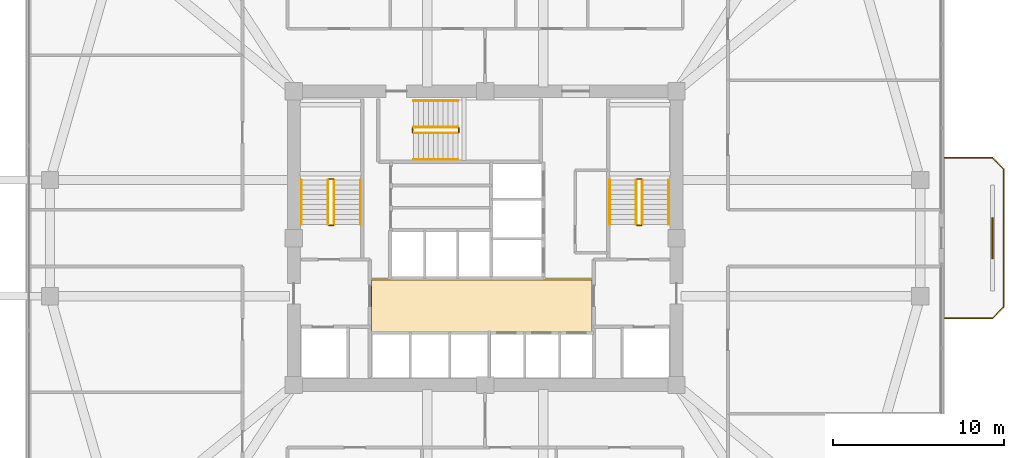
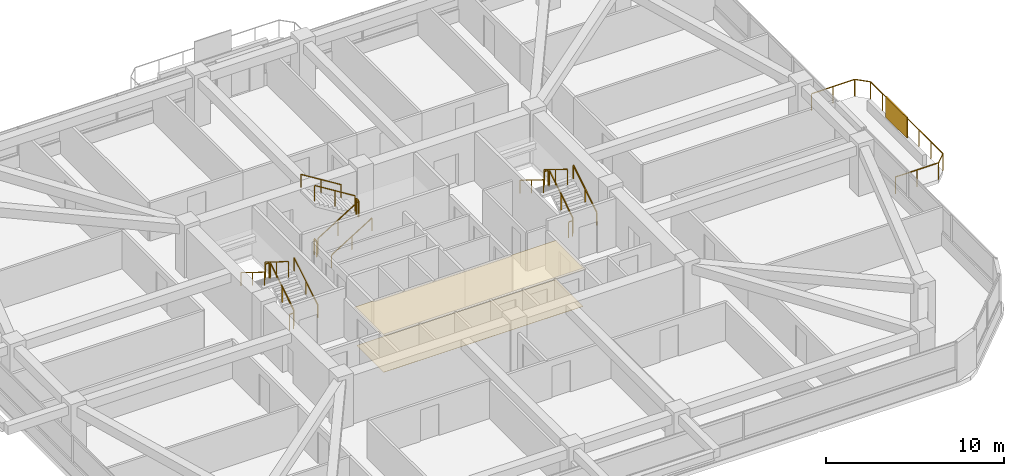
# One storey, part 13 of 14: 19 railings, 2 coverings, 1 shading device.
"""IFC4 building model written with IfcOpenShell, lengths in metres."""

from ifc_helpers import new_model, si_unit, derived_unit, direction, frame, origin, origin_2d, place, context, subcontext, project, spatial, polyline, rectangle, outline, extrude, material, layer, layer_set, type_object, element, save


model = new_model("IFC4")

# Units and contexts
model_context = context("Model", 3, precision=1e-05, world=origin(), true_north=direction((0.0, 1.0)))
body_context = subcontext(model_context, "Body", "Model", "MODEL_VIEW")
ifc_project = project(units=[si_unit("LENGTHUNIT", "METRE"), si_unit("AREAUNIT", "SQUARE_METRE"), si_unit("VOLUMEUNIT", "CUBIC_METRE"), si_unit("PLANEANGLEUNIT", "RADIAN"), si_unit("MASSUNIT", "GRAM", prefix="KILO"), derived_unit("THERMALTRANSMITTANCEUNIT", [(si_unit("POWERUNIT", "WATT"), 1), (si_unit("LENGTHUNIT", "METRE"), -2), (si_unit("THERMODYNAMICTEMPERATUREUNIT", "KELVIN"), -1)])], contexts=[model_context])

# Site, building, storey
site_placement = place(None, origin())
site = spatial("IfcSite", under=ifc_project, at=site_placement, CompositionType="ELEMENT")
building_placement = place(site_placement, origin())
building = spatial("IfcBuilding", under=site, at=building_placement, Name="Koralith Skygarden Medical Center", CompositionType="ELEMENT")
storey_placement = place(building_placement, frame((0.0, 0.0, 81.179931640625)))
storey = spatial("IfcBuildingStorey", under=building, at=storey_placement, Name="L20", CompositionType="ELEMENT", Elevation=81.179931640625)

# Covering
ifc_material_1 = material(Name="Acoustic Mineral Tile")
ifc_layer_1 = layer(ifc_material_1, 0.02001953125)
ifc_layer_set_1 = layer_set([ifc_layer_1], Name="Acoustic Mineral Tile")
covering_type_1 = type_object("IfcCoveringType", Name="Acoustic Hygienic Mineral Ceiling 20", PredefinedType="CEILING", material=ifc_layer_set_1)
covering_1_placement = place(storey_placement, frame((0.0, 0.0, 2.5849609375)))
element("IfcCovering", 1, at=covering_1_placement, inside=storey, type_object=covering_type_1, Name="L20 Core Lobby Acoustic Ceiling", PredefinedType="CEILING", context=body_context, shape_type="SweptSolid", body=[
    extrude(outline(polyline([(30.25, 20.320068359375), (43.35009765625, 20.320068359375), (43.35009765625, 23.56005859375), (30.25, 23.56005859375), (30.25, 20.320068359375)])), origin(), (0.0, 0.0, 1.0), 0.02001953125),
])

# Railing
ifc_material_2 = material(Name="Steel ASTM A500 Grade C", Category="steel")
railing_type_1 = type_object("IfcRailingType", Name="Outdoor Terrace & Balcony Safety Guardrail 1180", PredefinedType="GUARDRAIL", material=ifc_material_2)
railing_1_placement = place(storey_placement, frame((63.89990234375, 21.199951171875, 0.0)))
element("IfcRailing", 2, at=railing_1_placement, inside=storey, type_object=railing_type_1, Name="L20 E Balcony Perimeter Guardrail", PredefinedType="GUARDRAIL", context=body_context, shape_type="SweptSolid", body=[
    extrude(rectangle(XDim=0.050048828125, YDim=0.050048828125, at=origin_2d()), frame((0.001953125, 0.0, 1.15478515625), z_axis=(1.0, 0.0, 0.0), x_axis=(0.0, 1.0, 0.0)), (0.0, 0.0, 1.0), 2.796142578125),
    extrude(rectangle(XDim=0.050048828125, YDim=0.050048828125, at=origin_2d()), frame((2.801513671875, 0.00146484375, 1.15478515625), z_axis=(0.707106781187, 0.707106781187, 0.0), x_axis=(-0.707106781187, 0.707106781187, 0.0)), (0.0, 0.0, 1.0), 0.91552734375),
    extrude(rectangle(XDim=0.050048828125, YDim=0.050048828125, at=origin_2d()), frame((3.4501953125, 0.652099609375, 1.15478515625), z_axis=(0.0, 1.0, 0.0), x_axis=(-1.0, 0.0, 0.0)), (0.0, 0.0, 1.0), 8.095947265625),
    extrude(rectangle(XDim=0.050048828125, YDim=0.050048828125, at=origin_2d()), frame((3.44873046875, 8.75146484375, 1.15478515625), z_axis=(-0.707106781187, 0.707106781187, 0.0), x_axis=(-0.707106781187, -0.707106781187, 0.0)), (0.0, 0.0, 1.0), 0.91552734375),
    extrude(rectangle(XDim=0.050048828125, YDim=0.050048828125, at=origin_2d()), frame((2.798095703125, 9.400146484375, 1.15478515625), z_axis=(-1.0, 0.0, 0.0), x_axis=(0.0, -1.0, 0.0)), (0.0, 0.0, 1.0), 2.796142578125),
    extrude(rectangle(XDim=0.0419921875, YDim=0.0419921875, at=origin_2d()), origin(), (0.0, 0.0, 1.0), 1.1279296875),
    extrude(rectangle(XDim=0.0419921875, YDim=0.0419921875, at=origin_2d()), frame((1.39990234375, 0.0, 0.0)), (0.0, 0.0, 1.0), 1.1279296875),
    extrude(rectangle(XDim=0.0419921875, YDim=0.0419921875, at=origin_2d()), frame((2.800048828125, 0.0, 0.0)), (0.0, 0.0, 1.0), 1.1279296875),
    extrude(rectangle(XDim=0.0419921875, YDim=0.0419921875, at=origin_2d()), frame((3.4501953125, 0.650146484375, 0.0)), (0.0, 0.0, 1.0), 1.1279296875),
    extrude(rectangle(XDim=0.0419921875, YDim=0.0419921875, at=origin_2d()), frame((3.4501953125, 2.0, 0.0)), (0.0, 0.0, 1.0), 1.1279296875),
    extrude(rectangle(XDim=0.0419921875, YDim=0.0419921875, at=origin_2d()), frame((3.4501953125, 3.35009765625, 0.0)), (0.0, 0.0, 1.0), 1.1279296875),
    extrude(rectangle(XDim=0.0419921875, YDim=0.0419921875, at=origin_2d()), frame((3.4501953125, 4.7001953125, 0.0)), (0.0, 0.0, 1.0), 1.1279296875),
    extrude(rectangle(XDim=0.0419921875, YDim=0.0419921875, at=origin_2d()), frame((3.4501953125, 6.050048828125, 0.0)), (0.0, 0.0, 1.0), 1.1279296875),
    extrude(rectangle(XDim=0.0419921875, YDim=0.0419921875, at=origin_2d()), frame((3.4501953125, 7.39990234375, 0.0)), (0.0, 0.0, 1.0), 1.1279296875),
    extrude(rectangle(XDim=0.0419921875, YDim=0.0419921875, at=origin_2d()), frame((3.4501953125, 8.75, 0.0)), (0.0, 0.0, 1.0), 1.1279296875),
    extrude(rectangle(XDim=0.0419921875, YDim=0.0419921875, at=origin_2d()), frame((2.800048828125, 9.400146484375, 0.0)), (0.0, 0.0, 1.0), 1.1279296875),
    extrude(rectangle(XDim=0.0419921875, YDim=0.0419921875, at=origin_2d()), frame((1.39990234375, 9.400146484375, 0.0)), (0.0, 0.0, 1.0), 1.1279296875),
    extrude(rectangle(XDim=0.0419921875, YDim=0.0419921875, at=origin_2d()), frame((0.0, 9.400146484375, 0.0)), (0.0, 0.0, 1.0), 1.1279296875),
])

# Shading device
ifc_material_3 = material(Name="Aluminium 6063-T6", Category="aluminium")
ifc_layer_2 = layer(ifc_material_3, 0.080078125)
ifc_layer_set_2 = layer_set([ifc_layer_2], Name="Aluminium 6063-T6")
shading_device_type = type_object("IfcShadingDeviceType", Name="Perforated Biophilic Balcony Trellis Screen", PredefinedType="USERDEFINED", material=ifc_layer_set_2)
shading_device_placement = place(storey_placement, frame((66.699951171875, 25.89990234375, 0.72021484375), z_axis=(0.0, 0.0, 1.0), x_axis=(0.0, 1.0, 0.0)))
element("IfcShadingDevice", 3, at=shading_device_placement, inside=storey, type_object=shading_device_type, Name="L20 E Biophilic Balcony Trellis Screen", ObjectType="HURRICANE SCREEN", PredefinedType="USERDEFINED", context=body_context, shape_type="SweptSolid", body=[
    extrude(rectangle(XDim=2.39990234375, YDim=0.080078125, at=origin_2d()), origin(), (0.0, 0.0, 1.0), 1.39990234375),
])

# Covering
ifc_material_4 = material(Name="Medical Terrazzo Flooring")
ifc_layer_3 = layer(ifc_material_4, 0.014892578125)
ifc_layer_set_3 = layer_set([ifc_layer_3], Name="Medical Terrazzo Flooring")
covering_type_2 = type_object("IfcCoveringType", Name="Seamless Antimicrobial Terrazzo Flooring 15", PredefinedType="FLOORING", material=ifc_layer_set_3)
covering_2_placement = place(storey_placement, origin())
element("IfcCovering", 4, at=covering_2_placement, inside=storey, type_object=covering_type_2, Name="L20 Core Lobby Terrazzo Flooring", PredefinedType="FLOORING", context=body_context, shape_type="SweptSolid", body=[
    extrude(outline(polyline([(30.35009765625, 20.419921875), (43.25, 20.419921875), (43.25, 23.4599609375), (30.35009765625, 23.4599609375), (30.35009765625, 20.419921875)])), origin(), (0.0, 0.0, 1.0), 0.01513671875),
])

# Railings
railing_type_2 = type_object("IfcRailingType", Name="Stair Flight Tubular Handrail 920", PredefinedType="HANDRAIL", material=ifc_material_2)
railing_2_placement = place(storey_placement, frame((29.699951171875, 26.699951171875, 0.18017578125)))
element("IfcRailing", 5, at=railing_2_placement, inside=storey, type_object=railing_type_2, Name="L20 ST1 stair handrail 1", PredefinedType="HANDRAIL", context=body_context, shape_type="SweptSolid", body=[
    extrude(rectangle(XDim=0.050048828125, YDim=0.050048828125, at=origin_2d()), frame((0.0, 0.001708984375, 0.89599609375), z_axis=(0.0, 0.849668407637, 0.527317358963), x_axis=(-1.0, 0.0, 0.0)), (0.0, 0.0, 1.0), 3.06787109375),
    extrude(rectangle(XDim=0.0419921875, YDim=0.0419921875, at=origin_2d()), origin(), (0.0, 0.0, 1.0), 0.867919921875),
    extrude(rectangle(XDim=0.0419921875, YDim=0.0419921875, at=origin_2d()), frame((0.0, 1.30517578125, 0.81005859375)), (0.0, 0.0, 1.0), 0.867919921875),
    extrude(rectangle(XDim=0.0419921875, YDim=0.0419921875, at=origin_2d()), frame((0.0, 2.610107421875, 1.619873046875)), (0.0, 0.0, 1.0), 0.867919921875),
])
railing_3_placement = place(storey_placement, frame((26.25, 29.31005859375, 1.97998046875)))
element("IfcRailing", 6, at=railing_3_placement, inside=storey, type_object=railing_type_2, Name="L20 ST1 stair handrail 2", PredefinedType="HANDRAIL", context=body_context, shape_type="SweptSolid", body=[
    extrude(rectangle(XDim=0.050048828125, YDim=0.050048828125, at=origin_2d()), frame((0.0, -0.001708984375, 0.89599609375), z_axis=(0.0, -0.849632798774, 0.527374731332), x_axis=(1.0, 0.0, 0.0)), (0.0, 0.0, 1.0), 3.068115234375),
    extrude(rectangle(XDim=0.0419921875, YDim=0.0419921875, at=origin_2d()), origin(), (0.0, 0.0, 1.0), 0.867919921875),
    extrude(rectangle(XDim=0.0419921875, YDim=0.0419921875, at=origin_2d()), frame((0.0, -1.30517578125, 0.81005859375)), (0.0, 0.0, 1.0), 0.867919921875),
    extrude(rectangle(XDim=0.0419921875, YDim=0.0419921875, at=origin_2d()), frame((0.0, -2.610107421875, 1.6201171875)), (0.0, 0.0, 1.0), 0.867919921875),
])
railing_4_placement = place(storey_placement, frame((47.75, 26.699951171875, 0.18017578125)))
element("IfcRailing", 7, at=railing_4_placement, inside=storey, type_object=railing_type_2, Name="L20 ST2 stair handrail 1", PredefinedType="HANDRAIL", context=body_context, shape_type="SweptSolid", body=[
    extrude(rectangle(XDim=0.050048828125, YDim=0.050048828125, at=origin_2d()), frame((0.0, 0.001708984375, 0.89599609375), z_axis=(0.0, 0.849668407637, 0.527317358963), x_axis=(-1.0, 0.0, 0.0)), (0.0, 0.0, 1.0), 3.06787109375),
    extrude(rectangle(XDim=0.0419921875, YDim=0.0419921875, at=origin_2d()), origin(), (0.0, 0.0, 1.0), 0.867919921875),
    extrude(rectangle(XDim=0.0419921875, YDim=0.0419921875, at=origin_2d()), frame((0.0, 1.30517578125, 0.81005859375)), (0.0, 0.0, 1.0), 0.867919921875),
    extrude(rectangle(XDim=0.0419921875, YDim=0.0419921875, at=origin_2d()), frame((0.0, 2.610107421875, 1.619873046875)), (0.0, 0.0, 1.0), 0.867919921875),
])
railing_5_placement = place(storey_placement, frame((44.300048828125, 29.31005859375, 1.97998046875)))
element("IfcRailing", 8, at=railing_5_placement, inside=storey, type_object=railing_type_2, Name="L20 ST2 stair handrail 2", PredefinedType="HANDRAIL", context=body_context, shape_type="SweptSolid", body=[
    extrude(rectangle(XDim=0.050048828125, YDim=0.050048828125, at=origin_2d()), frame((0.0, -0.001708984375, 0.89599609375), z_axis=(0.0, -0.849632798774, 0.527374731332), x_axis=(1.0, 0.0, 0.0)), (0.0, 0.0, 1.0), 3.068115234375),
    extrude(rectangle(XDim=0.0419921875, YDim=0.0419921875, at=origin_2d()), origin(), (0.0, 0.0, 1.0), 0.867919921875),
    extrude(rectangle(XDim=0.0419921875, YDim=0.0419921875, at=origin_2d()), frame((0.0, -1.30517578125, 0.81005859375)), (0.0, 0.0, 1.0), 0.867919921875),
    extrude(rectangle(XDim=0.0419921875, YDim=0.0419921875, at=origin_2d()), frame((0.0, -2.610107421875, 1.6201171875)), (0.0, 0.0, 1.0), 0.867919921875),
])
railing_6_placement = place(storey_placement, frame((32.800048828125, 30.5, 0.18017578125)))
element("IfcRailing", 9, at=railing_6_placement, inside=storey, type_object=railing_type_2, Name="L20 ST3 stair handrail 1", PredefinedType="HANDRAIL", context=body_context, shape_type="SweptSolid", body=[
    extrude(rectangle(XDim=0.050048828125, YDim=0.050048828125, at=origin_2d()), frame((0.001708984375, 0.0, 0.89599609375), z_axis=(0.849646306263, 0.0, 0.527352969322), x_axis=(0.0, 1.0, 0.0)), (0.0, 0.0, 1.0), 3.067626953125),
    extrude(rectangle(XDim=0.0419921875, YDim=0.0419921875, at=origin_2d()), origin(), (0.0, 0.0, 1.0), 0.867919921875),
    extrude(rectangle(XDim=0.0419921875, YDim=0.0419921875, at=origin_2d()), frame((1.304931640625, 0.0, 0.81005859375)), (0.0, 0.0, 1.0), 0.867919921875),
    extrude(rectangle(XDim=0.0419921875, YDim=0.0419921875, at=origin_2d()), frame((2.60986328125, 0.0, 1.619873046875)), (0.0, 0.0, 1.0), 0.867919921875),
])
railing_7_placement = place(storey_placement, frame((35.409912109375, 33.949951171875, 1.97998046875)))
element("IfcRailing", 10, at=railing_7_placement, inside=storey, type_object=railing_type_2, Name="L20 ST3 stair handrail 2", PredefinedType="HANDRAIL", context=body_context, shape_type="SweptSolid", body=[
    extrude(rectangle(XDim=0.050048828125, YDim=0.050048828125, at=origin_2d()), frame((-0.001708984375, 0.0, 0.89599609375), z_axis=(-0.849610693518, 0.0, 0.52741034258), x_axis=(0.0, -1.0, 0.0)), (0.0, 0.0, 1.0), 3.06787109375),
    extrude(rectangle(XDim=0.0419921875, YDim=0.0419921875, at=origin_2d()), origin(), (0.0, 0.0, 1.0), 0.867919921875),
    extrude(rectangle(XDim=0.0419921875, YDim=0.0419921875, at=origin_2d()), frame((-1.304931640625, 0.0, 0.81005859375)), (0.0, 0.0, 1.0), 0.867919921875),
    extrude(rectangle(XDim=0.0419921875, YDim=0.0419921875, at=origin_2d()), frame((-2.60986328125, 0.0, 1.6201171875)), (0.0, 0.0, 1.0), 0.867919921875),
])
railing_type_3 = type_object("IfcRailingType", Name="Stair Well Safety Guardrail 1100", PredefinedType="GUARDRAIL", material=ifc_material_2)
railing_8_placement = place(storey_placement, frame((28.14990234375, 26.699951171875, 0.18017578125)))
element("IfcRailing", 11, at=railing_8_placement, inside=storey, type_object=railing_type_3, Name="L20 ST1 stair guard 1", PredefinedType="GUARDRAIL", context=body_context, shape_type="SweptSolid", body=[
    extrude(rectangle(XDim=0.050048828125, YDim=0.050048828125, at=origin_2d()), frame((0.0, 0.001708984375, 1.076171875), z_axis=(0.0, 0.849668407637, 0.527317358963), x_axis=(-1.0, 0.0, 0.0)), (0.0, 0.0, 1.0), 3.06787109375),
    extrude(rectangle(XDim=0.0419921875, YDim=0.0419921875, at=origin_2d()), origin(), (0.0, 0.0, 1.0), 1.048095703125),
    extrude(rectangle(XDim=0.0419921875, YDim=0.0419921875, at=origin_2d()), frame((0.0, 1.30517578125, 0.81005859375)), (0.0, 0.0, 1.0), 1.048095703125),
    extrude(rectangle(XDim=0.0419921875, YDim=0.0419921875, at=origin_2d()), frame((0.0, 2.610107421875, 1.619873046875)), (0.0, 0.0, 1.0), 1.048095703125),
])
railing_9_placement = place(storey_placement, frame((28.10009765625, 29.360107421875, 1.800048828125)))
element("IfcRailing", 12, at=railing_9_placement, inside=storey, type_object=railing_type_3, Name="L20 ST1 stair guard 2", PredefinedType="GUARDRAIL", context=body_context, shape_type="SweptSolid", body=[
    extrude(rectangle(XDim=0.050048828125, YDim=0.050048828125, at=origin_2d()), frame((-0.001953125, 0.0, 1.0751953125), z_axis=(-1.0, 0.0, 0.0), x_axis=(0.0, -1.0, 0.0)), (0.0, 0.0, 1.0), 0.24609375),
    extrude(rectangle(XDim=0.0419921875, YDim=0.0419921875, at=origin_2d()), origin(), (0.0, 0.0, 1.0), 1.048095703125),
    extrude(rectangle(XDim=0.0419921875, YDim=0.0419921875, at=origin_2d()), frame((-0.25, 0.0, 0.0)), (0.0, 0.0, 1.0), 1.048095703125),
])
railing_10_placement = place(storey_placement, frame((27.800048828125, 29.31005859375, 1.97998046875)))
element("IfcRailing", 13, at=railing_10_placement, inside=storey, type_object=railing_type_3, Name="L20 ST1 stair guard 3", PredefinedType="GUARDRAIL", context=body_context, shape_type="SweptSolid", body=[
    extrude(rectangle(XDim=0.050048828125, YDim=0.050048828125, at=origin_2d()), frame((0.0, -0.001708984375, 1.076171875), z_axis=(0.0, -0.849632798774, 0.527374731332), x_axis=(1.0, 0.0, 0.0)), (0.0, 0.0, 1.0), 3.068115234375),
    extrude(rectangle(XDim=0.0419921875, YDim=0.0419921875, at=origin_2d()), origin(), (0.0, 0.0, 1.0), 1.048095703125),
    extrude(rectangle(XDim=0.0419921875, YDim=0.0419921875, at=origin_2d()), frame((0.0, -1.30517578125, 0.81005859375)), (0.0, 0.0, 1.0), 1.048095703125),
    extrude(rectangle(XDim=0.0419921875, YDim=0.0419921875, at=origin_2d()), frame((0.0, -2.610107421875, 1.6201171875)), (0.0, 0.0, 1.0), 1.048095703125),
])
railing_11_placement = place(storey_placement, frame((28.10009765625, 26.64990234375, 0.0)))
element("IfcRailing", 14, at=railing_11_placement, inside=storey, type_object=railing_type_3, Name="L20 ST1 stair guard 4", PredefinedType="GUARDRAIL", context=body_context, shape_type="SweptSolid", body=[
    extrude(rectangle(XDim=0.050048828125, YDim=0.050048828125, at=origin_2d()), frame((-0.001953125, 0.0, 1.0751953125), z_axis=(-1.0, 0.0, 0.0), x_axis=(0.0, -1.0, 0.0)), (0.0, 0.0, 1.0), 0.24609375),
    extrude(rectangle(XDim=0.0419921875, YDim=0.0419921875, at=origin_2d()), origin(), (0.0, 0.0, 1.0), 1.048095703125),
    extrude(rectangle(XDim=0.0419921875, YDim=0.0419921875, at=origin_2d()), frame((-0.25, 0.0, 0.0)), (0.0, 0.0, 1.0), 1.048095703125),
])
railing_12_placement = place(storey_placement, frame((46.199951171875, 26.699951171875, 0.18017578125)))
element("IfcRailing", 15, at=railing_12_placement, inside=storey, type_object=railing_type_3, Name="L20 ST2 stair guard 1", PredefinedType="GUARDRAIL", context=body_context, shape_type="SweptSolid", body=[
    extrude(rectangle(XDim=0.050048828125, YDim=0.050048828125, at=origin_2d()), frame((0.0, 0.001708984375, 1.076171875), z_axis=(0.0, 0.849668407637, 0.527317358963), x_axis=(-1.0, 0.0, 0.0)), (0.0, 0.0, 1.0), 3.06787109375),
    extrude(rectangle(XDim=0.0419921875, YDim=0.0419921875, at=origin_2d()), origin(), (0.0, 0.0, 1.0), 1.048095703125),
    extrude(rectangle(XDim=0.0419921875, YDim=0.0419921875, at=origin_2d()), frame((0.0, 1.30517578125, 0.81005859375)), (0.0, 0.0, 1.0), 1.048095703125),
    extrude(rectangle(XDim=0.0419921875, YDim=0.0419921875, at=origin_2d()), frame((0.0, 2.610107421875, 1.619873046875)), (0.0, 0.0, 1.0), 1.048095703125),
])
railing_13_placement = place(storey_placement, frame((46.14990234375, 29.360107421875, 1.800048828125)))
element("IfcRailing", 16, at=railing_13_placement, inside=storey, type_object=railing_type_3, Name="L20 ST2 stair guard 2", PredefinedType="GUARDRAIL", context=body_context, shape_type="SweptSolid", body=[
    extrude(rectangle(XDim=0.050048828125, YDim=0.050048828125, at=origin_2d()), frame((-0.001953125, 0.0, 1.0751953125), z_axis=(-1.0, 0.0, 0.0), x_axis=(0.0, -1.0, 0.0)), (0.0, 0.0, 1.0), 0.24609375),
    extrude(rectangle(XDim=0.0419921875, YDim=0.0419921875, at=origin_2d()), origin(), (0.0, 0.0, 1.0), 1.048095703125),
    extrude(rectangle(XDim=0.0419921875, YDim=0.0419921875, at=origin_2d()), frame((-0.25, 0.0, 0.0)), (0.0, 0.0, 1.0), 1.048095703125),
])
railing_14_placement = place(storey_placement, frame((45.85009765625, 29.31005859375, 1.97998046875)))
element("IfcRailing", 17, at=railing_14_placement, inside=storey, type_object=railing_type_3, Name="L20 ST2 stair guard 3", PredefinedType="GUARDRAIL", context=body_context, shape_type="SweptSolid", body=[
    extrude(rectangle(XDim=0.050048828125, YDim=0.050048828125, at=origin_2d()), frame((0.0, -0.001708984375, 1.076171875), z_axis=(0.0, -0.849632798774, 0.527374731332), x_axis=(1.0, 0.0, 0.0)), (0.0, 0.0, 1.0), 3.068115234375),
    extrude(rectangle(XDim=0.0419921875, YDim=0.0419921875, at=origin_2d()), origin(), (0.0, 0.0, 1.0), 1.048095703125),
    extrude(rectangle(XDim=0.0419921875, YDim=0.0419921875, at=origin_2d()), frame((0.0, -1.30517578125, 0.81005859375)), (0.0, 0.0, 1.0), 1.048095703125),
    extrude(rectangle(XDim=0.0419921875, YDim=0.0419921875, at=origin_2d()), frame((0.0, -2.610107421875, 1.6201171875)), (0.0, 0.0, 1.0), 1.048095703125),
])
railing_15_placement = place(storey_placement, frame((46.14990234375, 26.64990234375, 0.0)))
element("IfcRailing", 18, at=railing_15_placement, inside=storey, type_object=railing_type_3, Name="L20 ST2 stair guard 4", PredefinedType="GUARDRAIL", context=body_context, shape_type="SweptSolid", body=[
    extrude(rectangle(XDim=0.050048828125, YDim=0.050048828125, at=origin_2d()), frame((-0.001953125, 0.0, 1.0751953125), z_axis=(-1.0, 0.0, 0.0), x_axis=(0.0, -1.0, 0.0)), (0.0, 0.0, 1.0), 0.24609375),
    extrude(rectangle(XDim=0.0419921875, YDim=0.0419921875, at=origin_2d()), origin(), (0.0, 0.0, 1.0), 1.048095703125),
    extrude(rectangle(XDim=0.0419921875, YDim=0.0419921875, at=origin_2d()), frame((-0.25, 0.0, 0.0)), (0.0, 0.0, 1.0), 1.048095703125),
])
railing_16_placement = place(storey_placement, frame((32.800048828125, 32.050048828125, 0.18017578125)))
element("IfcRailing", 19, at=railing_16_placement, inside=storey, type_object=railing_type_3, Name="L20 ST3 stair guard 1", PredefinedType="GUARDRAIL", context=body_context, shape_type="SweptSolid", body=[
    extrude(rectangle(XDim=0.050048828125, YDim=0.050048828125, at=origin_2d()), frame((0.001708984375, 0.0, 1.076171875), z_axis=(0.849646306263, 0.0, 0.527352969322), x_axis=(0.0, 1.0, 0.0)), (0.0, 0.0, 1.0), 3.067626953125),
    extrude(rectangle(XDim=0.0419921875, YDim=0.0419921875, at=origin_2d()), origin(), (0.0, 0.0, 1.0), 1.048095703125),
    extrude(rectangle(XDim=0.0419921875, YDim=0.0419921875, at=origin_2d()), frame((1.304931640625, 0.0, 0.81005859375)), (0.0, 0.0, 1.0), 1.048095703125),
    extrude(rectangle(XDim=0.0419921875, YDim=0.0419921875, at=origin_2d()), frame((2.60986328125, 0.0, 1.619873046875)), (0.0, 0.0, 1.0), 1.048095703125),
])
railing_17_placement = place(storey_placement, frame((35.4599609375, 32.10009765625, 1.800048828125)))
element("IfcRailing", 20, at=railing_17_placement, inside=storey, type_object=railing_type_3, Name="L20 ST3 stair guard 2", PredefinedType="GUARDRAIL", context=body_context, shape_type="SweptSolid", body=[
    extrude(rectangle(XDim=0.050048828125, YDim=0.050048828125, at=origin_2d()), frame((0.0, 0.001953125, 1.0751953125), z_axis=(0.0, 1.0, 0.0), x_axis=(-1.0, 0.0, 0.0)), (0.0, 0.0, 1.0), 0.24609375),
    extrude(rectangle(XDim=0.0419921875, YDim=0.0419921875, at=origin_2d()), origin(), (0.0, 0.0, 1.0), 1.048095703125),
    extrude(rectangle(XDim=0.0419921875, YDim=0.0419921875, at=origin_2d()), frame((0.0, 0.25, 0.0)), (0.0, 0.0, 1.0), 1.048095703125),
])
railing_18_placement = place(storey_placement, frame((35.409912109375, 32.39990234375, 1.97998046875)))
element("IfcRailing", 21, at=railing_18_placement, inside=storey, type_object=railing_type_3, Name="L20 ST3 stair guard 3", PredefinedType="GUARDRAIL", context=body_context, shape_type="SweptSolid", body=[
    extrude(rectangle(XDim=0.050048828125, YDim=0.050048828125, at=origin_2d()), frame((-0.001708984375, 0.0, 1.076171875), z_axis=(-0.849610693518, 0.0, 0.52741034258), x_axis=(0.0, -1.0, 0.0)), (0.0, 0.0, 1.0), 3.06787109375),
    extrude(rectangle(XDim=0.0419921875, YDim=0.0419921875, at=origin_2d()), origin(), (0.0, 0.0, 1.0), 1.048095703125),
    extrude(rectangle(XDim=0.0419921875, YDim=0.0419921875, at=origin_2d()), frame((-1.304931640625, 0.0, 0.81005859375)), (0.0, 0.0, 1.0), 1.048095703125),
    extrude(rectangle(XDim=0.0419921875, YDim=0.0419921875, at=origin_2d()), frame((-2.60986328125, 0.0, 1.6201171875)), (0.0, 0.0, 1.0), 1.048095703125),
])
railing_19_placement = place(storey_placement, frame((32.75, 32.10009765625, 0.0)))
element("IfcRailing", 22, at=railing_19_placement, inside=storey, type_object=railing_type_3, Name="L20 ST3 stair guard 4", PredefinedType="GUARDRAIL", context=body_context, shape_type="SweptSolid", body=[
    extrude(rectangle(XDim=0.050048828125, YDim=0.050048828125, at=origin_2d()), frame((0.0, 0.001953125, 1.0751953125), z_axis=(0.0, 1.0, 0.0), x_axis=(-1.0, 0.0, 0.0)), (0.0, 0.0, 1.0), 0.24609375),
    extrude(rectangle(XDim=0.0419921875, YDim=0.0419921875, at=origin_2d()), origin(), (0.0, 0.0, 1.0), 1.048095703125),
    extrude(rectangle(XDim=0.0419921875, YDim=0.0419921875, at=origin_2d()), frame((0.0, 0.25, 0.0)), (0.0, 0.0, 1.0), 1.048095703125),
])

save(model, "model.ifc")
